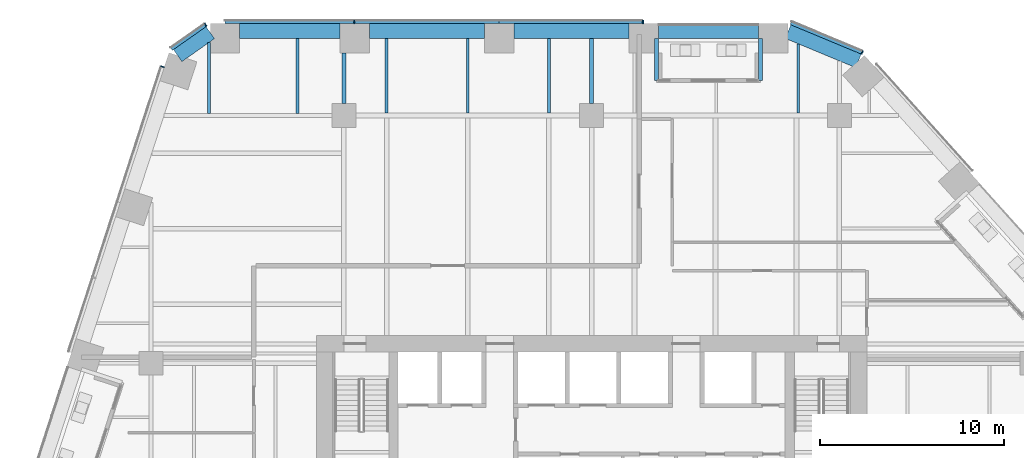
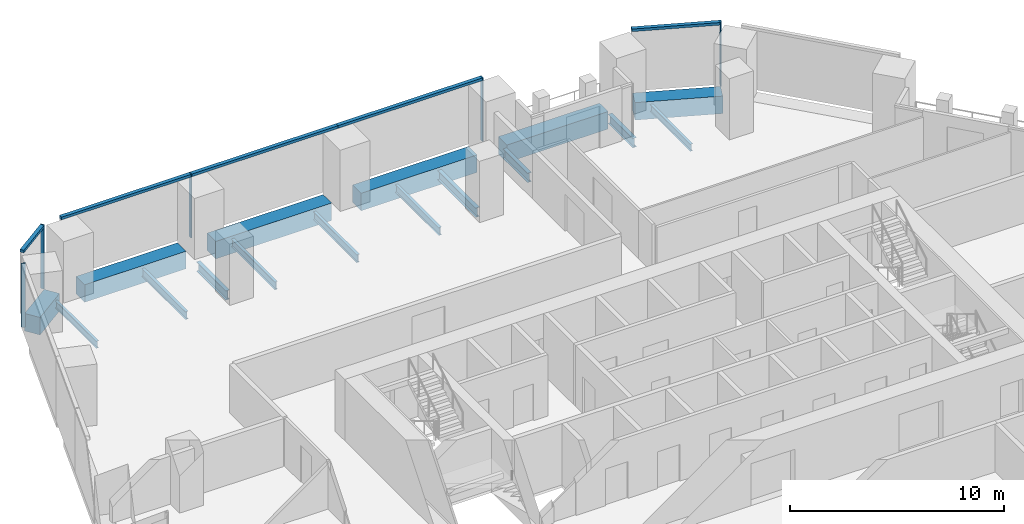
# One storey, part 14 of 28: 16 beams, 10 members, 4 elements without a shape of their own.
"""IFC4 building model written with IfcOpenShell, lengths in metres."""

from ifc_helpers import new_model, si_unit, direction, frame, origin, origin_2d, place, context, subcontext, project, spatial, rectangle, i_section, extrude, material, layer, layer_set, material_profile, profile_set, type_object, element, aggregate, save


model = new_model("IFC4")

# Units and contexts
model_context = context("Model", 3, precision=1e-05, world=origin(), true_north=direction((0.0, 1.0)))
body_context = subcontext(model_context, "Body", "Model", "MODEL_VIEW")
ifc_project = project(units=[si_unit("LENGTHUNIT", "METRE"), si_unit("AREAUNIT", "SQUARE_METRE"), si_unit("VOLUMEUNIT", "CUBIC_METRE"), si_unit("PLANEANGLEUNIT", "RADIAN"), si_unit("MASSUNIT", "GRAM", prefix="KILO")], contexts=[model_context])

# Site, building, storey
site_placement = place(None, origin())
site = spatial("IfcSite", under=ifc_project, at=site_placement, CompositionType="ELEMENT")
building_placement = place(site_placement, origin())
building = spatial("IfcBuilding", under=site, at=building_placement, Name="Isthmus Gate Tower", CompositionType="ELEMENT")
storey_placement = place(building_placement, frame((0.0, 0.0, 84.300048828125)))
storey = spatial("IfcBuildingStorey", under=building, at=storey_placement, Name="L19", CompositionType="ELEMENT", Elevation=84.300048828125)

# Curtain wall, members
ifc_material_1 = material(Name="Aluminium, pale champagne anodised", Category="aluminium")
ifc_layer = layer(ifc_material_1, 0.199951171875)
ifc_layer_set = layer_set([ifc_layer], Name="CW-1 UNITISED CURTAIN WALL 200 DEEP")
curtain_wall_type = type_object("IfcCurtainWallType", Name="CW-1 UNITISED CURTAIN WALL 200 DEEP", PredefinedType="NOTDEFINED", material=ifc_layer_set)
curtain_wall_1_placement = place(storey_placement, origin())
curtain_wall_1 = element("IfcCurtainWall", 1, at=curtain_wall_1_placement, inside=storey, type_object=curtain_wall_type, Name="CW-1 N L19", PredefinedType="NOTDEFINED")
ifc_material_2 = material(Name="Aluminium, pale champagne anodised", Category="aluminium")
ifc_material_profile_1 = material_profile(ifc_material_2, rectangle(XDim=0.06005859375, YDim=0.199951171875, at=origin_2d()), Name="60x200")
ifc_profile_set_1 = profile_set([ifc_material_profile_1], Name="Aluminium, pale champagne anodised")
member_type_1 = type_object("IfcMemberType", Name="CW-1 MULLION 60 X 200", PredefinedType="MULLION", material=ifc_profile_set_1)
member_1_placement = place(storey_placement, frame((2.80224609375, 32.10009765625, 0.0), z_axis=(0.0, 0.0, 1.0), x_axis=(-1.0, 0.0, 0.0)))
member_1 = element("IfcMember", 2, at=member_1_placement, type_object=member_type_1, Name="CW-1 mullion", PredefinedType="MULLION", context=body_context, shape_type="SweptSolid", body=[
    extrude(rectangle(XDim=0.06005859375, YDim=0.199951171875, at=origin_2d()), origin(), (0.0, 0.0, 1.0), 3.64990234375),
])
member_2_placement = place(storey_placement, frame((-12.936767578125, 32.10009765625, 0.0), z_axis=(0.0, 0.0, 1.0), x_axis=(-1.0, 0.0, 0.0)))
member_2 = element("IfcMember", 3, at=member_2_placement, type_object=member_type_1, Name="CW-1 mullion", PredefinedType="MULLION", context=body_context, shape_type="SweptSolid", body=[
    extrude(rectangle(XDim=0.06005859375, YDim=0.199951171875, at=origin_2d()), origin(), (0.0, 0.0, 1.0), 3.64990234375),
])

# Curtain wall, member
curtain_wall_2_placement = place(storey_placement, origin())
curtain_wall_2 = element("IfcCurtainWall", 4, at=curtain_wall_2_placement, inside=storey, type_object=curtain_wall_type, Name="CW-1 N-NW L19", PredefinedType="NOTDEFINED")
member_3_placement = place(storey_placement, frame((-21.031005859375, 31.943115234375, 0.0), z_axis=(0.0, 0.0, 1.0), x_axis=(-0.81785959165, -0.57541783805, 0.0)))
member_3 = element("IfcMember", 5, at=member_3_placement, type_object=member_type_1, Name="CW-1 mullion", PredefinedType="MULLION", context=body_context, shape_type="SweptSolid", body=[
    extrude(rectangle(XDim=0.06005859375, YDim=0.199951171875, at=origin_2d()), origin(), (0.0, 0.0, 1.0), 3.64990234375),
])

curtain_wall_3_placement = place(storey_placement, origin())
curtain_wall_3 = element("IfcCurtainWall", 6, at=curtain_wall_3_placement, inside=storey, type_object=curtain_wall_type, Name="CW-1 NW L19", PredefinedType="NOTDEFINED")
member_4_placement = place(storey_placement, frame((-23.380615234375, 29.656494140625, 0.0), z_axis=(0.0, 0.0, 1.0), x_axis=(-0.309016994375, -0.951056516295, 0.0)))
member_4 = element("IfcMember", 7, at=member_4_placement, type_object=member_type_1, Name="CW-1 mullion", PredefinedType="MULLION", context=body_context, shape_type="SweptSolid", body=[
    extrude(rectangle(XDim=0.06005859375, YDim=0.199951171875, at=origin_2d()), origin(), (0.0, 0.0, 1.0), 3.64990234375),
])
aggregate(curtain_wall_3, [member_4])

curtain_wall_4_placement = place(storey_placement, origin())
curtain_wall_4 = element("IfcCurtainWall", 8, at=curtain_wall_4_placement, inside=storey, type_object=curtain_wall_type, Name="CW-1 NE-N L19", PredefinedType="NOTDEFINED")
member_5_placement = place(storey_placement, frame((14.744140625, 30.427490234375, 0.0), z_axis=(0.0, 0.0, 1.0), x_axis=(-0.923353128387, 0.383951820282, 0.0)))
member_5 = element("IfcMember", 9, at=member_5_placement, type_object=member_type_1, Name="CW-1 mullion", PredefinedType="MULLION", context=body_context, shape_type="SweptSolid", body=[
    extrude(rectangle(XDim=0.06005859375, YDim=0.199951171875, at=origin_2d()), origin(), (0.0, 0.0, 1.0), 3.64990234375),
])

# Member
ifc_material_3 = material(Name="Aluminium, pale champagne anodised", Category="aluminium")
ifc_material_profile_2 = material_profile(ifc_material_3, rectangle(XDim=0.199951171875, YDim=0.14990234375, at=origin_2d()), Name="200x150")
ifc_profile_set_2 = profile_set([ifc_material_profile_2], Name="Aluminium, pale champagne anodised")
member_type_2 = type_object("IfcMemberType", Name="CW-1 TRANSOM 200 X 150", PredefinedType="USERDEFINED", material=ifc_profile_set_2)
member_6_placement = place(storey_placement, frame((2.772216796875, 32.10009765625, 3.574951171875), z_axis=(-1.0, 0.0, 0.0), x_axis=(0.0, -1.0, 0.0)))
member_6 = element("IfcMember", 10, at=member_6_placement, type_object=member_type_2, Name="CW-1 transom", ObjectType="TRANSOM", PredefinedType="USERDEFINED", context=body_context, shape_type="SweptSolid", body=[
    extrude(rectangle(XDim=0.199951171875, YDim=0.14990234375, at=origin_2d()), origin(), (0.0, 0.0, 1.0), 7.809326171875),
])

member_7_placement = place(storey_placement, frame((-5.037109375, 32.10009765625, 3.574951171875), z_axis=(-1.0, 0.0, 0.0), x_axis=(0.0, -1.0, 0.0)))
member_7 = element("IfcMember", 11, at=member_7_placement, type_object=member_type_2, Name="CW-1 transom", ObjectType="TRANSOM", PredefinedType="USERDEFINED", context=body_context, shape_type="SweptSolid", body=[
    extrude(rectangle(XDim=0.199951171875, YDim=0.14990234375, at=origin_2d()), origin(), (0.0, 0.0, 1.0), 7.86962890625),
])

member_8_placement = place(storey_placement, frame((-12.966796875, 32.10009765625, 3.574951171875), z_axis=(-1.0, 0.0, 0.0), x_axis=(0.0, -1.0, 0.0)))
member_8 = element("IfcMember", 12, at=member_8_placement, type_object=member_type_2, Name="CW-1 transom", ObjectType="TRANSOM", PredefinedType="USERDEFINED", context=body_context, shape_type="SweptSolid", body=[
    extrude(rectangle(XDim=0.199951171875, YDim=0.14990234375, at=origin_2d()), origin(), (0.0, 0.0, 1.0), 7.009521484375),
])

aggregate(curtain_wall_1, [member_1, member_6, member_7, member_2, member_8])

member_9_placement = place(storey_placement, frame((-21.055419921875, 31.92578125, 3.574951171875), z_axis=(-0.817868595604, -0.575405040233, 0.0), x_axis=(0.575405040233, -0.817868595604, 0.0)))
member_9 = element("IfcMember", 13, at=member_9_placement, type_object=member_type_2, Name="CW-1 transom", ObjectType="TRANSOM", PredefinedType="USERDEFINED", context=body_context, shape_type="SweptSolid", body=[
    extrude(rectangle(XDim=0.199951171875, YDim=0.14990234375, at=origin_2d()), origin(), (0.0, 0.0, 1.0), 2.258544921875),
])

aggregate(curtain_wall_2, [member_3, member_9])

member_10_placement = place(storey_placement, frame((14.716552734375, 30.43896484375, 3.574951171875), z_axis=(-0.923358236369, 0.383939536033, 0.0), x_axis=(-0.383939536033, -0.923358236369, 0.0)))
member_10 = element("IfcMember", 14, at=member_10_placement, type_object=member_type_2, Name="CW-1 transom", ObjectType="TRANSOM", PredefinedType="USERDEFINED", context=body_context, shape_type="SweptSolid", body=[
    extrude(rectangle(XDim=0.199951171875, YDim=0.14990234375, at=origin_2d()), origin(), (0.0, 0.0, 1.0), 4.181640625),
])

aggregate(curtain_wall_4, [member_5, member_10])

# Beams
ifc_material_4 = material(Name="Concrete f'c 70 MPa", Category="concrete")
ifc_material_profile_3 = material_profile(ifc_material_4, rectangle(XDim=0.800048828125, YDim=1.0, at=origin_2d()), Name="RC 800X1000")
ifc_profile_set_3 = profile_set([ifc_material_profile_3], Name="Concrete f'c 70 MPa")
beam_type_1 = type_object("IfcBeamType", Name="RC SPANDREL 800 X 1000", PredefinedType="SPANDREL", material=ifc_profile_set_3)
beam_1_placement = place(storey_placement, frame((10.701904296875, 31.56689453125, -0.5), z_axis=(0.923334166719, -0.383997417399, 0.0), x_axis=(0.383997417399, 0.923334166719, 0.0)))
element("IfcBeam", 15, at=beam_1_placement, inside=storey, type_object=beam_type_1, Name="str-spandrel-L19-00", PredefinedType="SPANDREL", context=body_context, shape_type="SweptSolid", body=[
    extrude(rectangle(XDim=0.800048828125, YDim=1.0, at=origin_2d()), origin(), (0.0, 0.0, 1.0), 4.15234375),
])
beam_2_placement = place(storey_placement, frame((-22.553466796875, 30.260498046875, -0.5), z_axis=(0.817857331203, 0.575421050882, 0.0), x_axis=(-0.575421050882, 0.817857331203, 0.0)))
element("IfcBeam", 16, at=beam_2_placement, inside=storey, type_object=beam_type_1, Name="str-spandrel-L19-22", PredefinedType="SPANDREL", context=body_context, shape_type="SweptSolid", body=[
    extrude(rectangle(XDim=0.800048828125, YDim=1.0, at=origin_2d()), origin(), (0.0, 0.0, 1.0), 2.173095703125),
])
beam_3_placement = place(storey_placement, frame((-19.17626953125, 31.60009765625, -0.5), z_axis=(1.0, 0.0, 0.0), x_axis=(0.0, 1.0, 0.0)))
element("IfcBeam", 17, at=beam_3_placement, inside=storey, type_object=beam_type_1, Name="str-spandrel-L19-23", PredefinedType="SPANDREL", context=body_context, shape_type="SweptSolid", body=[
    extrude(rectangle(XDim=0.800048828125, YDim=1.0, at=origin_2d()), origin(), (0.0, 0.0, 1.0), 5.469482421875),
])
for number, where, z_axis, x_axis, name in (
    (18, (-12.106689453125, 31.60009765625, -0.5), (1.0, 0.0, 0.0), (0.0, 1.0, 0.0), "str-spandrel-L19-24"),
    (19, (-4.2373046875, 31.60009765625, -0.5), (1.0, 0.0, 0.0), (0.0, 1.0, 0.0), "str-spandrel-L19-25"),
):
    element("IfcBeam", number, at=place(storey_placement, frame(where, z_axis=z_axis, x_axis=x_axis)), inside=storey, type_object=beam_type_1, Name=name, PredefinedType="SPANDREL", context=body_context, shape_type="SweptSolid", body=[
        extrude(rectangle(XDim=0.800048828125, YDim=1.0, at=origin_2d()), origin(), (0.0, 0.0, 1.0), 6.26953125),
    ])
beam_4_placement = place(storey_placement, frame((3.63232421875, 31.60009765625, -0.5), z_axis=(1.0, 0.0, 0.0), x_axis=(0.0, 1.0, 0.0)))
element("IfcBeam", 20, at=beam_4_placement, inside=storey, type_object=beam_type_1, Name="str-spandrel-L19-26", PredefinedType="SPANDREL", context=body_context, shape_type="SweptSolid", body=[
    extrude(rectangle(XDim=0.800048828125, YDim=1.0, at=origin_2d()), origin(), (0.0, 0.0, 1.0), 5.469482421875),
])
ifc_material_5 = material(Name="Structural steel ASTM A992 Gr 50", Category="steel")
ifc_material_profile_4 = material_profile(ifc_material_5, i_section(OverallWidth=0.1396484375, OverallDepth=0.4033203125, WebThickness=0.00634765625, FlangeThickness=0.010986328125, at=origin_2d()), Name="W16X31")
ifc_profile_set_4 = profile_set([ifc_material_profile_4], Name="Structural steel ASTM A992 Gr 50")
beam_type_2 = type_object("IfcBeamType", Name="STEEL FLOOR BEAM W16X31", PredefinedType="JOIST", material=ifc_profile_set_4)
beam_5_placement = place(storey_placement, frame((-20.846435546875, 27.1142578125, -0.3515625), z_axis=(0.0, 1.0, 0.0), x_axis=(-1.0, 0.0, 0.0)))
element("IfcBeam", 21, at=beam_5_placement, inside=storey, type_object=beam_type_2, Name="str-beam-L19-11-00", PredefinedType="JOIST", context=body_context, shape_type="SweptSolid", body=[
    extrude(i_section(OverallWidth=0.1396484375, OverallDepth=0.4033203125, WebThickness=0.00634765625, FlangeThickness=0.010986328125, at=origin_2d()), origin(), (0.0, 0.0, 1.0), 3.858154296875),
])
beam_6_placement = place(storey_placement, frame((11.267578125, 27.1318359375, -0.3515625), z_axis=(0.0, 1.0, 0.0), x_axis=(-1.0, 0.0, 0.0)))
element("IfcBeam", 22, at=beam_6_placement, inside=storey, type_object=beam_type_2, Name="str-beam-L19-24-02", PredefinedType="JOIST", context=body_context, shape_type="SweptSolid", body=[
    extrude(i_section(OverallWidth=0.1396484375, OverallDepth=0.4033203125, WebThickness=0.00634765625, FlangeThickness=0.010986328125, at=origin_2d()), origin(), (0.0, 0.0, 1.0), 3.7666015625),
])
ifc_material_6 = material(Name="Structural steel ASTM A992 Gr 50", Category="steel")
ifc_material_profile_5 = material_profile(ifc_material_6, i_section(OverallWidth=0.15234375, OverallDepth=0.45068359375, WebThickness=0.0078125, FlangeThickness=0.010986328125, at=origin_2d()), Name="W18X35")
ifc_profile_set_5 = profile_set([ifc_material_profile_5], Name="Structural steel ASTM A992 Gr 50")
beam_type_3 = type_object("IfcBeamType", Name="STEEL FLOOR BEAM W18X35", PredefinedType="JOIST", material=ifc_profile_set_5)
beam_7_placement = place(storey_placement, frame((-16.0185546875, 27.1142578125, -0.37548828125), z_axis=(0.0, 1.0, 0.0), x_axis=(-1.0, 0.0, 0.0)))
element("IfcBeam", 23, at=beam_7_placement, inside=storey, type_object=beam_type_3, Name="str-beam-L19-11-01", PredefinedType="JOIST", context=body_context, shape_type="SweptSolid", body=[
    extrude(i_section(OverallWidth=0.15234375, OverallDepth=0.45068359375, WebThickness=0.0078125, FlangeThickness=0.010986328125, at=origin_2d()), origin(), (0.0, 0.0, 1.0), 4.085693359375),
])
for number, where, z_axis, x_axis, name in (
    (24, (-11.18017578125, 27.1318359375, -0.37548828125), (0.0, 1.0, 0.0), (-1.0, 0.0, 0.0), "str-beam-L19-17-00"),
    (25, (-6.75, 27.1318359375, -0.37548828125), (0.0, 1.0, 0.0), (-1.0, 0.0, 0.0), "str-beam-L19-17-01"),
    (26, (-2.31982421875, 27.1318359375, -0.37548828125), (0.0, 1.0, 0.0), (-1.0, 0.0, 0.0), "str-beam-L19-17-02"),
):
    element("IfcBeam", number, at=place(storey_placement, frame(where, z_axis=z_axis, x_axis=x_axis)), inside=storey, type_object=beam_type_3, Name=name, PredefinedType="JOIST", context=body_context, shape_type="SweptSolid", body=[
        extrude(i_section(OverallWidth=0.15234375, OverallDepth=0.45068359375, WebThickness=0.0078125, FlangeThickness=0.010986328125, at=origin_2d()), origin(), (0.0, 0.0, 1.0), 4.068115234375),
    ])
ifc_material_7 = material(Name="Structural steel ASTM A992 Gr 50", Category="steel")
ifc_material_profile_6 = material_profile(ifc_material_7, i_section(OverallWidth=0.20947265625, OverallDepth=0.533447265625, WebThickness=0.009521484375, FlangeThickness=0.015869140625, at=origin_2d()), Name="W21X62")
ifc_profile_set_6 = profile_set([ifc_material_profile_6], Name="Structural steel ASTM A992 Gr 50")
beam_type_4 = type_object("IfcBeamType", Name="STEEL GIRDER W21X62", PredefinedType="BEAM", material=ifc_profile_set_6)
beam_8_placement = place(storey_placement, frame((-13.5, 27.64990234375, -0.416748046875), z_axis=(0.0, 1.0, 0.0), x_axis=(-1.0, 0.0, 0.0)))
element("IfcBeam", 27, at=beam_8_placement, inside=storey, type_object=beam_type_4, Name="str-girder-L19-28", PredefinedType="BEAM", context=body_context, shape_type="SweptSolid", body=[
    extrude(i_section(OverallWidth=0.20947265625, OverallDepth=0.533447265625, WebThickness=0.009521484375, FlangeThickness=0.015869140625, at=origin_2d()), origin(), (0.0, 0.0, 1.0), 2.75),
])
beam_9_placement = place(storey_placement, frame((0.0, 27.64990234375, -0.416748046875), z_axis=(0.0, 1.0, 0.0), x_axis=(-1.0, 0.0, 0.0)))
element("IfcBeam", 28, at=beam_9_placement, inside=storey, type_object=beam_type_4, Name="str-girder-L19-31", PredefinedType="BEAM", context=body_context, shape_type="SweptSolid", body=[
    extrude(i_section(OverallWidth=0.20947265625, OverallDepth=0.533447265625, WebThickness=0.009521484375, FlangeThickness=0.015869140625, at=origin_2d()), origin(), (0.0, 0.0, 1.0), 3.550048828125),
])
ifc_material_8 = material(Name="Structural steel ASTM A992 Gr 50", Category="steel")
ifc_material_profile_7 = material_profile(ifc_material_8, i_section(OverallWidth=0.20947265625, OverallDepth=0.533447265625, WebThickness=0.009521484375, FlangeThickness=0.015869140625, at=origin_2d()), Name="W21X62")
ifc_profile_set_7 = profile_set([ifc_material_profile_7], Name="Structural steel ASTM A992 Gr 50")
beam_type_5 = type_object("IfcBeamType", Name="STEEL TRIMMER W21X62", PredefinedType="BEAM", material=ifc_profile_set_7)
for number, where, z_axis, x_axis, name in (
    (29, (9.20654296875, 31.199951171875, -0.416748046875), (0.0, -1.0, 0.0), (1.0, 0.0, 0.0), "str-loggiatrim-L19-01-A"),
    (30, (3.527587890625, 31.199951171875, -0.416748046875), (0.0, -1.0, 0.0), (1.0, 0.0, 0.0), "str-loggiatrim-L19-01-C"),
):
    element("IfcBeam", number, at=place(storey_placement, frame(where, z_axis=z_axis, x_axis=x_axis)), inside=storey, type_object=beam_type_5, Name=name, PredefinedType="BEAM", context=body_context, shape_type="SweptSolid", body=[
        extrude(i_section(OverallWidth=0.20947265625, OverallDepth=0.533447265625, WebThickness=0.009521484375, FlangeThickness=0.015869140625, at=origin_2d()), origin(), (0.0, 0.0, 1.0), 2.3046875),
    ])

save(model, "model.ifc")
